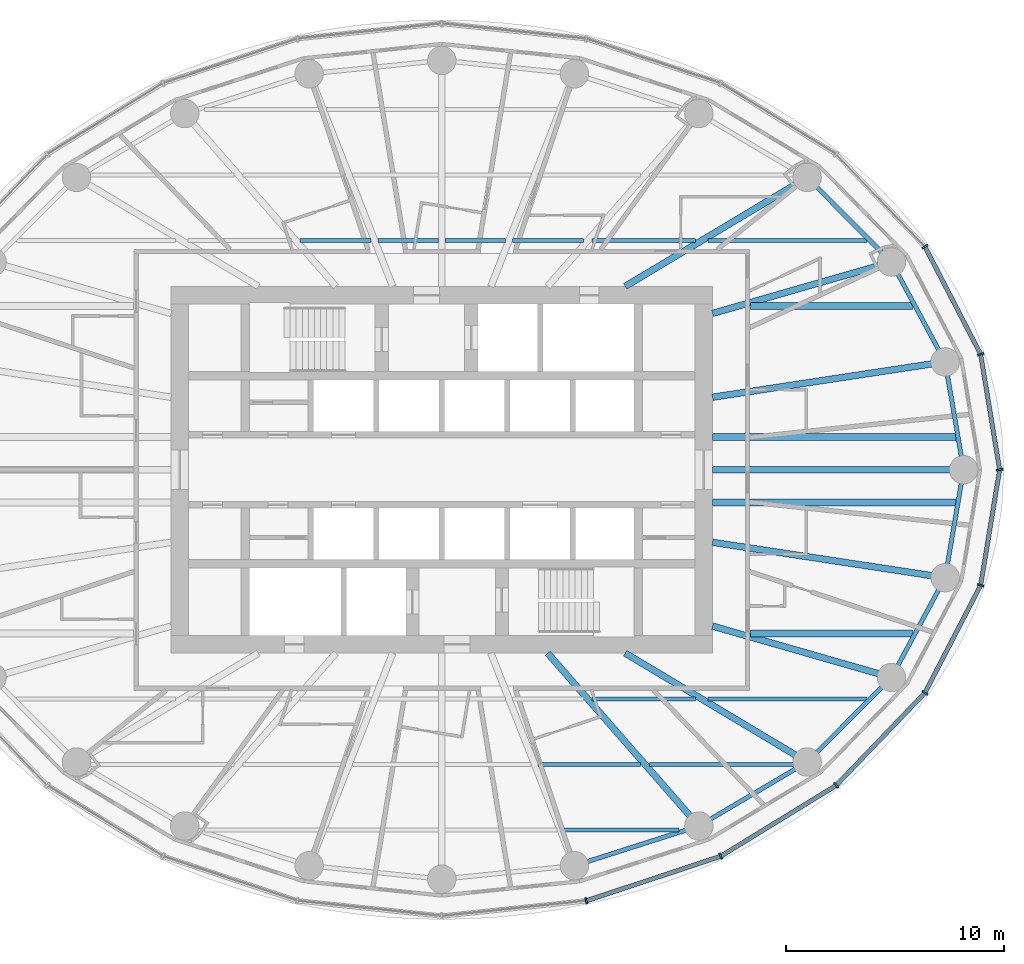
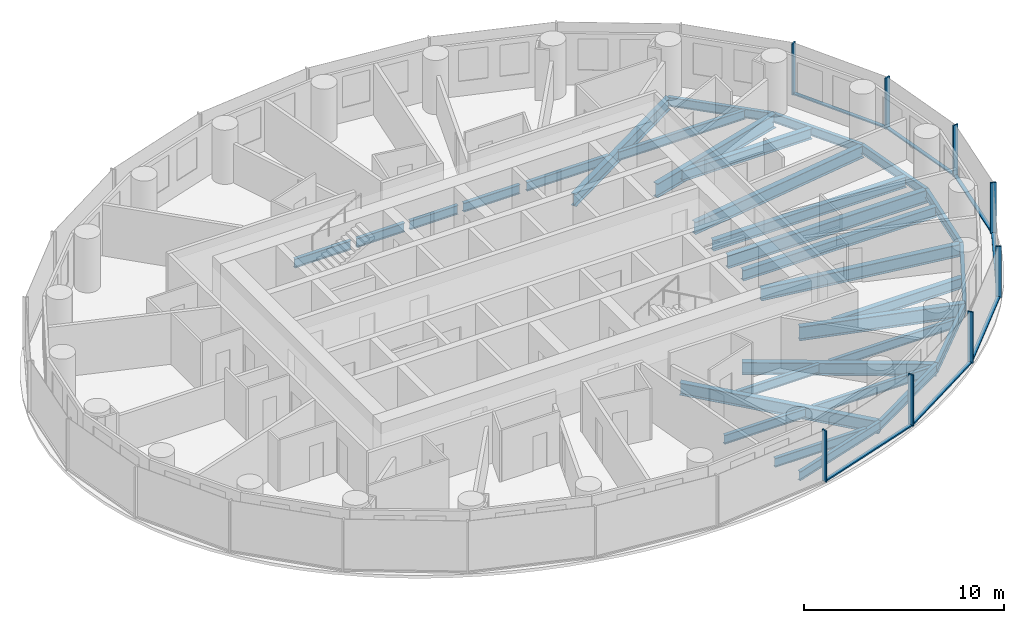
# One storey, part 3 of 13: 31 beams, 15 members, 2 elements without a shape of their own.
"""IFC4 building model written with IfcOpenShell, lengths in metres."""

import ifcopenshell
import ifcopenshell.guid

model = None  # the IFC model being written
_history = None  # IfcOwnerHistory: only IFC2X3 demands one
_inside = {}  # id of a spatial element -> (the spatial element, [elements in it])
_under = {}  # id of a project, library or spatial element -> (it, [spatial elements below it])
_declared = {}  # id of a project -> (the project, [libraries it declares])
_typed = {}  # id of a type object -> (the type object, [elements of that type])
_made_of = {}  # id of a material, layer set ... -> (it, [elements and type objects made of it])


def new_model(schema):
    """Start an empty IFC model of exactly this schema.

    Asked for "IFC4X3", IfcOpenShell would pick the latest addendum, in which some entities
    have other attributes; the version numbers below select the first issue.
    IFC2X3 requires an IfcOwnerHistory on every rooted entity: one is made here for all.
    """
    global model, _history
    if schema == "IFC4X3":
        model = ifcopenshell.file(schema_version=(4, 3, 0, 0))
    else:
        model = ifcopenshell.file(schema=schema)
    _inside.clear()
    _under.clear()
    _declared.clear()
    _typed.clear()
    _made_of.clear()
    _history = None
    if model.schema == "IFC2X3":
        org = make("IfcOrganization", Name="unknown")
        user = make(
            "IfcPersonAndOrganization",
            ThePerson=make("IfcPerson", FamilyName="unknown"),
            TheOrganization=org,
        )
        app = make(
            "IfcApplication",
            ApplicationDeveloper=org,
            Version="unknown",
            ApplicationFullName="unknown",
            ApplicationIdentifier="unknown",
        )
        _history = make(
            "IfcOwnerHistory",
            OwningUser=user,
            OwningApplication=app,
            ChangeAction="ADDED",
            CreationDate=0,
        )
    return model


def make(cls, **values):
    """One entity of the class cls with the attributes given. An attribute that is None is left unset."""
    return model.create_entity(
        cls, **{name: value for name, value in values.items() if value is not None}
    )


def rooted(cls, **values):
    """An entity with a GlobalId (a new one), such as an element, a storey or a relation."""
    return make(cls, GlobalId=ifcopenshell.guid.new(), OwnerHistory=_history, **values)


def si_unit(unit_type, name, prefix=None):
    """IfcSIUnit, for example si_unit("LENGTHUNIT", "METRE", prefix="MILLI")."""
    return make("IfcSIUnit", UnitType=unit_type, Prefix=prefix, Name=name)


def assignment(units):
    """IfcUnitAssignment: the units of a project."""
    return None if units is None else make("IfcUnitAssignment", Units=units)


def point(xyz):
    """IfcCartesianPoint."""
    return None if xyz is None else make("IfcCartesianPoint", Coordinates=xyz)


def direction(xyz):
    """IfcDirection."""
    return None if xyz is None else make("IfcDirection", DirectionRatios=xyz)


def frame(location, z_axis=None, x_axis=None):
    """IfcAxis2Placement3D, a coordinate frame: its origin and axes. An axis left out is left unset."""
    return make(
        "IfcAxis2Placement3D",
        Location=point(location),
        Axis=direction(z_axis),
        RefDirection=direction(x_axis),
    )


def frame_2d(location, x_axis=None):
    """IfcAxis2Placement2D, a coordinate frame in the plane: its origin and x axis."""
    return make(
        "IfcAxis2Placement2D", Location=point(location), RefDirection=direction(x_axis)
    )


def origin():
    """The frame at (0, 0, 0) with its axes left unset."""
    return frame((0.0, 0.0, 0.0))


def origin_2d():
    """The frame at (0, 0) in the plane with its x axis left unset."""
    return frame_2d((0.0, 0.0))


def place(relative_to, where):
    """IfcLocalPlacement: puts the frame where relative to a parent placement (None: the world)."""
    return make(
        "IfcLocalPlacement", PlacementRelTo=relative_to, RelativePlacement=where
    )


def context(
    kind, dimensions, precision=None, world=None, true_north=None, identifier=None
):
    """IfcGeometricRepresentationContext, for example the 3D "Model" context."""
    return make(
        "IfcGeometricRepresentationContext",
        ContextIdentifier=identifier,
        ContextType=kind,
        CoordinateSpaceDimension=dimensions,
        Precision=precision,
        WorldCoordinateSystem=world,
        TrueNorth=true_north,
    )


def subcontext(parent, identifier, kind, view, scale=None):
    """IfcGeometricRepresentationSubContext, for example "Body" below "Model"."""
    return make(
        "IfcGeometricRepresentationSubContext",
        ContextIdentifier=identifier,
        ContextType=kind,
        ParentContext=parent,
        TargetScale=scale,
        TargetView=view,
    )


def project(units=None, contexts=None):
    """IfcProject with its units and contexts."""
    return rooted(
        "IfcProject",
        Name="project",
        RepresentationContexts=contexts,
        UnitsInContext=assignment(units),
    )


def spatial(cls, under=None, at=None, **own):
    """A site, building, storey or space (cls), placed at a placement, below another one or the project."""
    s = rooted(cls, ObjectPlacement=at, **own)
    if under is not None:
        _under.setdefault(under.id(), (under, []))[1].append(s)
    return s


def profile(cls, at=None, kind="AREA", **sizes):
    """A parametric profile (cls). Its sizes go by their IFC names, for example OverallWidth=200.0."""
    return make(cls, ProfileType=kind, Position=at, **sizes)


def rectangle(**sizes):
    """IfcRectangleProfileDef."""
    return profile("IfcRectangleProfileDef", **sizes)


def i_section(**sizes):
    """IfcIShapeProfileDef."""
    return profile("IfcIShapeProfileDef", **sizes)


def extrude(swept, where, along, depth):
    """IfcExtrudedAreaSolid: the profile swept, set in the frame where, extruded along a direction by depth."""
    return make(
        "IfcExtrudedAreaSolid",
        SweptArea=swept,
        Position=where,
        ExtrudedDirection=direction(along),
        Depth=depth,
    )


def shape(context_of_items, identifier, shape_type, items):
    """IfcShapeRepresentation: the items that make up one representation, for example the "Body"."""
    return make(
        "IfcShapeRepresentation",
        ContextOfItems=context_of_items,
        RepresentationIdentifier=identifier,
        RepresentationType=shape_type,
        Items=items,
    )


def material(Name=None, Category=None):
    """IfcMaterial."""
    return make("IfcMaterial", Name=Name, Category=Category)


def material_profile(
    of_material, cross_section, Name=None, Category=None, Priority=None
):
    """IfcMaterialProfile: a cross section and its material."""
    return make(
        "IfcMaterialProfile",
        Name=Name,
        Material=of_material,
        Profile=cross_section,
        Priority=Priority,
        Category=Category,
    )


def profile_set(profiles, Name=None, composite=None):
    """IfcMaterialProfileSet."""
    return make(
        "IfcMaterialProfileSet",
        Name=Name,
        MaterialProfiles=profiles,
        CompositeProfile=composite,
    )


def made_of(thing, what):
    """Note that an element or type object is made of a material, layer set ...; save() writes the relation."""
    if what is not None:
        _made_of.setdefault(what.id(), (what, []))[1].append(thing)
    return thing


def type_object(cls, material=None, **own):
    """A type object (cls), such as IfcWallType, which elements share."""
    return made_of(rooted(cls, **own), material)


def element(
    cls,
    number,
    at=None,
    inside=None,
    cuts=None,
    type_object=None,
    material=None,
    context=None,
    identifier="Body",
    shape_type=None,
    held_by="IfcProductDefinitionShape",
    body=None,
    shapes=None,
    **own,
):
    """One element of the class cls, such as IfcWall. Its Tag is "e" and its number.

    at: its placement. inside: the storey or other place that contains it. cuts: it is an
    opening in that element (IfcRelVoidsElement). A single representation is given by context,
    identifier, shape_type and body (its items); several are given by shapes. held_by: the class
    of the entity that holds the representations. save() writes the other relations.
    """
    e = rooted(cls, Tag="e%d" % number, ObjectPlacement=at, **own)
    if body is not None:
        shapes = [shape(context, identifier, shape_type, body)]
    if shapes is not None:
        e.Representation = make(held_by, Representations=shapes)
    if inside is not None:
        _inside.setdefault(inside.id(), (inside, []))[1].append(e)
    if cuts is not None:
        rooted(
            "IfcRelVoidsElement", RelatingBuildingElement=cuts, RelatedOpeningElement=e
        )
    if type_object is not None:
        _typed.setdefault(type_object.id(), (type_object, []))[1].append(e)
    return made_of(e, material)


def aggregate(whole, parts):
    """IfcRelAggregates: a whole, such as a stair, and the parts it consists of."""
    return rooted("IfcRelAggregates", RelatingObject=whole, RelatedObjects=parts)


def save(model, path):
    """Write the relations noted so far, then the file.

    IfcRelAggregates (storeys below a building ...), IfcRelContainedInSpatialStructure (elements
    in a storey), IfcRelDefinesByType, IfcRelAssociatesMaterial and IfcRelDeclares: one each for
    every whole, place, type object, material and project.
    """
    for whole, parts in _under.values():
        aggregate(whole, parts)
    for where, things in _inside.values():
        rooted(
            "IfcRelContainedInSpatialStructure",
            RelatedElements=things,
            RelatingStructure=where,
        )
    for kind, things in _typed.values():
        rooted("IfcRelDefinesByType", RelatedObjects=things, RelatingType=kind)
    for what, things in _made_of.values():
        rooted("IfcRelAssociatesMaterial", RelatedObjects=things, RelatingMaterial=what)
    for by, libraries in _declared.values():
        rooted("IfcRelDeclares", RelatingContext=by, RelatedDefinitions=libraries)
    model.write(path)


model = new_model("IFC4")

# Units and contexts
model_context = context("Model", 3, precision=1e-05, world=origin(), true_north=direction((0.0, 1.0)))
body_context = subcontext(model_context, "Body", "Model", "MODEL_VIEW")
ifc_project = project(units=[si_unit("LENGTHUNIT", "METRE"), si_unit("AREAUNIT", "SQUARE_METRE"), si_unit("VOLUMEUNIT", "CUBIC_METRE"), si_unit("PLANEANGLEUNIT", "RADIAN"), si_unit("MASSUNIT", "GRAM", prefix="KILO")], contexts=[model_context])

# Site, building, storey
site_placement = place(None, origin())
site = spatial("IfcSite", under=ifc_project, at=site_placement, CompositionType="ELEMENT")
building_placement = place(site_placement, origin())
building = spatial("IfcBuilding", under=site, at=building_placement, Name="Hankou Lantern Tower", CompositionType="ELEMENT")
storey_placement = place(building_placement, frame((0.0, 0.0, 122.10009765625)))
storey = spatial("IfcBuildingStorey", under=building, at=storey_placement, Name="L31", CompositionType="ELEMENT", Elevation=122.10009765625)

# Beams
ifc_material_1 = material(Name="Steel Q355B", Category="steel")
ifc_material_profile_1 = material_profile(ifc_material_1, i_section(OverallWidth=0.199951171875, OverallDepth=0.550048828125, WebThickness=0.010009765625, FlangeThickness=0.01611328125, FilletRadius=0.012939453125, at=origin_2d()), Name="HN550x200x10x16")
ifc_profile_set_1 = profile_set([ifc_material_profile_1], Name="Steel Q355B")
beam_type_1 = type_object("IfcBeamType", Name="EB6 RING BEAM HN550x200x10x16", PredefinedType="SPANDREL", material=ifc_profile_set_1)
beam_1_placement = place(storey_placement, frame((23.89990234375, 0.0, -0.455078125), z_axis=(-0.168527258545, 0.985696993567, 0.0), x_axis=(-0.985696993567, -0.168527258545, 0.0)))
element("IfcBeam", 1, at=beam_1_placement, inside=storey, type_object=beam_type_1, Name="Ring beam R01-R02 L31", PredefinedType="SPANDREL", context=body_context, shape_type="SweptSolid", body=[
    extrude(i_section(OverallWidth=0.199951171875, OverallDepth=0.550048828125, WebThickness=0.010009765625, FlangeThickness=0.01611328125, FilletRadius=0.012939453125, at=origin_2d()), origin(), (0.0, 0.0, 1.0), 5.013916015625),
])
beam_2_placement = place(storey_placement, frame((23.054931640625, 4.942138671875, -0.455078125), z_axis=(-0.473824901673, 0.880619079145, 0.0), x_axis=(-0.880619079145, -0.473824901673, 0.0)))
element("IfcBeam", 2, at=beam_2_placement, inside=storey, type_object=beam_type_1, Name="Ring beam R02-R03 L31", PredefinedType="SPANDREL", context=body_context, shape_type="SweptSolid", body=[
    extrude(i_section(OverallWidth=0.199951171875, OverallDepth=0.550048828125, WebThickness=0.010009765625, FlangeThickness=0.01611328125, FilletRadius=0.012939453125, at=origin_2d()), origin(), (0.0, 0.0, 1.0), 5.190185546875),
])
beam_3_placement = place(storey_placement, frame((20.595703125, 9.5126953125, -0.455078125), z_axis=(-0.705945468625, 0.708266189599, 0.0), x_axis=(-0.708266189599, -0.705945468625, 0.0)))
element("IfcBeam", 3, at=beam_3_placement, inside=storey, type_object=beam_type_1, Name="Ring beam R03-R04 L31", PredefinedType="SPANDREL", context=body_context, shape_type="SweptSolid", body=[
    extrude(i_section(OverallWidth=0.199951171875, OverallDepth=0.550048828125, WebThickness=0.010009765625, FlangeThickness=0.01611328125, FilletRadius=0.012939453125, at=origin_2d()), origin(), (0.0, 0.0, 1.0), 5.470458984375),
])
beam_4_placement = place(storey_placement, frame((6.073974609375, -18.134521484375, -0.455078125), z_axis=(0.952731090451, 0.303814860215, 0.0), x_axis=(-0.303814860215, 0.952731090451, 0.0)))
element("IfcBeam", 4, at=beam_4_placement, inside=storey, type_object=beam_type_1, Name="Ring beam R20-R21 L31", PredefinedType="SPANDREL", context=body_context, shape_type="SweptSolid", body=[
    extrude(i_section(OverallWidth=0.199951171875, OverallDepth=0.550048828125, WebThickness=0.010009765625, FlangeThickness=0.01611328125, FilletRadius=0.012939453125, at=origin_2d()), origin(), (0.0, 0.0, 1.0), 5.984375),
])
beam_5_placement = place(storey_placement, frame((11.775390625, -16.31640625, -0.455078125), z_axis=(0.860988974188, 0.508623619513, 0.0), x_axis=(-0.508623619513, 0.860988974188, 0.0)))
element("IfcBeam", 5, at=beam_5_placement, inside=storey, type_object=beam_type_1, Name="Ring beam R21-R22 L31", PredefinedType="SPANDREL", context=body_context, shape_type="SweptSolid", body=[
    extrude(i_section(OverallWidth=0.199951171875, OverallDepth=0.550048828125, WebThickness=0.010009765625, FlangeThickness=0.01611328125, FilletRadius=0.012939453125, at=origin_2d()), origin(), (0.0, 0.0, 1.0), 5.759033203125),
])
beam_6_placement = place(storey_placement, frame((16.73388671875, -13.38720703125, -0.455078125), z_axis=(0.705945468625, 0.708266189599, 0.0), x_axis=(-0.708266189599, 0.705945468625, 0.0)))
element("IfcBeam", 6, at=beam_6_placement, inside=storey, type_object=beam_type_1, Name="Ring beam R22-R23 L31", PredefinedType="SPANDREL", context=body_context, shape_type="SweptSolid", body=[
    extrude(i_section(OverallWidth=0.199951171875, OverallDepth=0.550048828125, WebThickness=0.010009765625, FlangeThickness=0.01611328125, FilletRadius=0.012939453125, at=origin_2d()), origin(), (0.0, 0.0, 1.0), 5.470458984375),
])
beam_7_placement = place(storey_placement, frame((20.595703125, -9.5126953125, -0.455078125), z_axis=(0.473824901673, 0.880619079145, 0.0), x_axis=(-0.880619079145, 0.473824901673, 0.0)))
element("IfcBeam", 7, at=beam_7_placement, inside=storey, type_object=beam_type_1, Name="Ring beam R23-R24 L31", PredefinedType="SPANDREL", context=body_context, shape_type="SweptSolid", body=[
    extrude(i_section(OverallWidth=0.199951171875, OverallDepth=0.550048828125, WebThickness=0.010009765625, FlangeThickness=0.01611328125, FilletRadius=0.012939453125, at=origin_2d()), origin(), (0.0, 0.0, 1.0), 5.190185546875),
])
beam_8_placement = place(storey_placement, frame((23.054931640625, -4.942138671875, -0.455078125), z_axis=(0.168527258545, 0.985696993567, 0.0), x_axis=(-0.985696993567, 0.168527258545, 0.0)))
element("IfcBeam", 8, at=beam_8_placement, inside=storey, type_object=beam_type_1, Name="Ring beam R24-R01 L31", PredefinedType="SPANDREL", context=body_context, shape_type="SweptSolid", body=[
    extrude(i_section(OverallWidth=0.199951171875, OverallDepth=0.550048828125, WebThickness=0.010009765625, FlangeThickness=0.01611328125, FilletRadius=0.012939453125, at=origin_2d()), origin(), (0.0, 0.0, 1.0), 5.013916015625),
])

# Curtain wall, members
ifc_material_2 = material(Name="Glass, dark grey tinted laminated", Category="glass")
curtain_wall_type = type_object("IfcCurtainWallType", Name="CWB OUTER SKIN MID-RISE", PredefinedType="USERDEFINED", material=ifc_material_2)
curtain_wall_1_placement = place(storey_placement, origin())
curtain_wall_1 = element("IfcCurtainWall", 9, at=curtain_wall_1_placement, inside=storey, type_object=curtain_wall_type, Name="CWB L31 OS1", ObjectType="OUTER SKIN MID-RISE", PredefinedType="USERDEFINED")
ifc_material_3 = material(Name="Aluminium, black anodised", Category="aluminium")
ifc_material_profile_2 = material_profile(ifc_material_3, rectangle(XDim=0.080078125, YDim=0.300048828125, at=origin_2d()), Name="MU1 80X300")
ifc_profile_set_2 = profile_set([ifc_material_profile_2], Name="Aluminium, black anodised")
member_type_1 = type_object("IfcMemberType", Name="MU1 OUTER SKIN MULLION 80X300", PredefinedType="MULLION", material=ifc_profile_set_2)
member_1_placement = place(storey_placement, frame((25.550048828125, 0.0, 0.0), z_axis=(0.0, 0.0, 1.0), x_axis=(-0.162381515188, 0.986728049427, 0.0)))
member_1 = element("IfcMember", 10, at=member_1_placement, type_object=member_type_1, Name="CWB mullion 1", PredefinedType="MULLION", context=body_context, shape_type="SweptSolid", body=[
    extrude(rectangle(XDim=0.080078125, YDim=0.300048828125, at=origin_2d()), origin(), (0.0, 0.0, 1.0), 3.119873046875),
])
member_2_placement = place(storey_placement, frame((24.679443359375, 5.290283203125, 0.0), z_axis=(0.0, 0.0, 1.0), x_axis=(-0.317595577365, 0.94822626479, 0.0)))
member_2 = element("IfcMember", 11, at=member_2_placement, type_object=member_type_1, Name="CWB mullion 2", PredefinedType="MULLION", context=body_context, shape_type="SweptSolid", body=[
    extrude(rectangle(XDim=0.080078125, YDim=0.300048828125, at=origin_2d()), origin(), (0.0, 0.0, 1.0), 3.119873046875),
])
member_3_placement = place(storey_placement, frame((22.126953125, 10.219970703125, 0.0), z_axis=(0.0, 0.0, 1.0), x_axis=(-0.585205735974, 0.810884854084, 0.0)))
member_3 = element("IfcMember", 12, at=member_3_placement, type_object=member_type_1, Name="CWB mullion 3", PredefinedType="MULLION", context=body_context, shape_type="SweptSolid", body=[
    extrude(rectangle(XDim=0.080078125, YDim=0.300048828125, at=origin_2d()), origin(), (0.0, 0.0, 1.0), 3.119873046875),
])

curtain_wall_2_placement = place(storey_placement, origin())
curtain_wall_2 = element("IfcCurtainWall", 13, at=curtain_wall_2_placement, inside=storey, type_object=curtain_wall_type, Name="CWB L31 OS4", ObjectType="OUTER SKIN MID-RISE", PredefinedType="USERDEFINED")
member_4_placement = place(storey_placement, frame((6.61279296875, -19.743408203125, 0.0), z_axis=(0.0, 0.0, 1.0), x_axis=(0.977787659625, 0.209597931016, 0.0)))
member_4 = element("IfcMember", 14, at=member_4_placement, type_object=member_type_1, Name="CWB mullion 2", PredefinedType="MULLION", context=body_context, shape_type="SweptSolid", body=[
    extrude(rectangle(XDim=0.080078125, YDim=0.300048828125, at=origin_2d()), origin(), (0.0, 0.0, 1.0), 3.119873046875),
])
member_5_placement = place(storey_placement, frame((12.77490234375, -17.70166015625, 0.0), z_axis=(0.0, 0.0, 1.0), x_axis=(0.907841299004, 0.419313934686, 0.0)))
member_5 = element("IfcMember", 15, at=member_5_placement, type_object=member_type_1, Name="CWB mullion 3", PredefinedType="MULLION", context=body_context, shape_type="SweptSolid", body=[
    extrude(rectangle(XDim=0.080078125, YDim=0.300048828125, at=origin_2d()), origin(), (0.0, 0.0, 1.0), 3.119873046875),
])
member_6_placement = place(storey_placement, frame((18.066650390625, -14.453369140625, 0.0), z_axis=(0.0, 0.0, 1.0), x_axis=(0.780868809444, 0.624695047553, 0.0)))
member_6 = element("IfcMember", 16, at=member_6_placement, type_object=member_type_1, Name="CWB mullion 4", PredefinedType="MULLION", context=body_context, shape_type="SweptSolid", body=[
    extrude(rectangle(XDim=0.080078125, YDim=0.300048828125, at=origin_2d()), origin(), (0.0, 0.0, 1.0), 3.119873046875),
])
member_7_placement = place(storey_placement, frame((22.126953125, -10.219970703125, 0.0), z_axis=(0.0, 0.0, 1.0), x_axis=(0.585205735974, 0.810884854084, 0.0)))
member_7 = element("IfcMember", 17, at=member_7_placement, type_object=member_type_1, Name="CWB mullion 5", PredefinedType="MULLION", context=body_context, shape_type="SweptSolid", body=[
    extrude(rectangle(XDim=0.080078125, YDim=0.300048828125, at=origin_2d()), origin(), (0.0, 0.0, 1.0), 3.119873046875),
])
member_8_placement = place(storey_placement, frame((24.679443359375, -5.290283203125, 0.0), z_axis=(0.0, 0.0, 1.0), x_axis=(0.317595577365, 0.94822626479, 0.0)))
member_8 = element("IfcMember", 18, at=member_8_placement, type_object=member_type_1, Name="CWB mullion 6", PredefinedType="MULLION", context=body_context, shape_type="SweptSolid", body=[
    extrude(rectangle(XDim=0.080078125, YDim=0.300048828125, at=origin_2d()), origin(), (0.0, 0.0, 1.0), 3.119873046875),
])

# Beams
ifc_material_4 = material(Name="Steel Q355B", Category="steel")
ifc_material_profile_3 = material_profile(ifc_material_4, i_section(OverallWidth=0.300048828125, OverallDepth=0.75, WebThickness=0.012939453125, FlangeThickness=0.02392578125, FilletRadius=0.01806640625, at=origin_2d()), Name="HN750x300x13x24")
ifc_profile_set_3 = profile_set([ifc_material_profile_3], Name="Steel Q355B")
beam_type_2 = type_object("IfcBeamType", Name="RB10 RADIAL BEAM HN750x300x13x24", PredefinedType="BEAM", material=ifc_profile_set_3)
beam_9_placement = place(storey_placement, frame((12.39990234375, 3.322509765625, -0.55517578125), z_axis=(0.988643506875, 0.150279793429, 0.0), x_axis=(-0.150279793429, 0.988643506875, 0.0)))
element("IfcBeam", 19, at=beam_9_placement, inside=storey, type_object=beam_type_2, Name="Radial beam R02 L31", PredefinedType="BEAM", context=body_context, shape_type="SweptSolid", body=[
    extrude(i_section(OverallWidth=0.300048828125, OverallDepth=0.75, WebThickness=0.012939453125, FlangeThickness=0.02392578125, FilletRadius=0.01806640625, at=origin_2d()), origin(), (0.0, 0.0, 1.0), 10.77734375),
])
beam_10_placement = place(storey_placement, frame((8.39990234375, 8.39990234375, -0.55517578125), z_axis=(0.858086776551, 0.513504706802, 0.0), x_axis=(-0.513504706802, 0.858086776551, 0.0)))
element("IfcBeam", 20, at=beam_10_placement, inside=storey, type_object=beam_type_2, Name="Radial beam R04 L31", PredefinedType="BEAM", context=body_context, shape_type="SweptSolid", body=[
    extrude(i_section(OverallWidth=0.300048828125, OverallDepth=0.75, WebThickness=0.012939453125, FlangeThickness=0.02392578125, FilletRadius=0.01806640625, at=origin_2d()), origin(), (0.0, 0.0, 1.0), 9.71240234375),
])
beam_11_placement = place(storey_placement, frame((4.849853515625, -8.39990234375, -0.55517578125), z_axis=(0.658429014446, -0.752642832249, 0.0), x_axis=(0.752642832249, 0.658429014446, 0.0)))
element("IfcBeam", 21, at=beam_11_placement, inside=storey, type_object=beam_type_2, Name="Radial beam R21 L31", PredefinedType="BEAM", context=body_context, shape_type="SweptSolid", body=[
    extrude(i_section(OverallWidth=0.300048828125, OverallDepth=0.75, WebThickness=0.012939453125, FlangeThickness=0.02392578125, FilletRadius=0.01806640625, at=origin_2d()), origin(), (0.0, 0.0, 1.0), 10.518310546875),
])
beam_12_placement = place(storey_placement, frame((8.39990234375, -8.39990234375, -0.55517578125), z_axis=(0.858086776551, -0.513504706802, 0.0), x_axis=(0.513504706802, 0.858086776551, 0.0)))
element("IfcBeam", 22, at=beam_12_placement, inside=storey, type_object=beam_type_2, Name="Radial beam R22 L31", PredefinedType="BEAM", context=body_context, shape_type="SweptSolid", body=[
    extrude(i_section(OverallWidth=0.300048828125, OverallDepth=0.75, WebThickness=0.012939453125, FlangeThickness=0.02392578125, FilletRadius=0.01806640625, at=origin_2d()), origin(), (0.0, 0.0, 1.0), 9.71240234375),
])
beam_13_placement = place(storey_placement, frame((12.39990234375, -3.322509765625, -0.55517578125), z_axis=(0.988643506875, -0.150279793429, 0.0), x_axis=(0.150279793429, 0.988643506875, 0.0)))
element("IfcBeam", 23, at=beam_13_placement, inside=storey, type_object=beam_type_2, Name="Radial beam R24 L31", PredefinedType="BEAM", context=body_context, shape_type="SweptSolid", body=[
    extrude(i_section(OverallWidth=0.300048828125, OverallDepth=0.75, WebThickness=0.012939453125, FlangeThickness=0.02392578125, FilletRadius=0.01806640625, at=origin_2d()), origin(), (0.0, 0.0, 1.0), 10.77734375),
])
ifc_material_5 = material(Name="Steel Q355B", Category="steel")
ifc_material_profile_4 = material_profile(ifc_material_5, i_section(OverallWidth=0.300048828125, OverallDepth=0.800048828125, WebThickness=0.013916015625, FlangeThickness=0.02587890625, FilletRadius=0.01806640625, at=origin_2d()), Name="HN800x300x14x26")
ifc_profile_set_4 = profile_set([ifc_material_profile_4], Name="Steel Q355B")
beam_type_3 = type_object("IfcBeamType", Name="RB11 RADIAL BEAM HN800x300x14x26", PredefinedType="BEAM", material=ifc_profile_set_4)
beam_14_placement = place(storey_placement, frame((12.39990234375, 0.0, -0.580078125), z_axis=(1.0, 0.0, 0.0), x_axis=(0.0, 1.0, 0.0)))
element("IfcBeam", 24, at=beam_14_placement, inside=storey, type_object=beam_type_3, Name="Radial beam R01 L31", PredefinedType="BEAM", context=body_context, shape_type="SweptSolid", body=[
    extrude(i_section(OverallWidth=0.300048828125, OverallDepth=0.800048828125, WebThickness=0.013916015625, FlangeThickness=0.02587890625, FilletRadius=0.01806640625, at=origin_2d()), origin(), (0.0, 0.0, 1.0), 11.5),
])
ifc_material_6 = material(Name="Steel Q355B", Category="steel")
ifc_material_profile_5 = material_profile(ifc_material_6, i_section(OverallWidth=0.300048828125, OverallDepth=0.85009765625, WebThickness=0.01611328125, FlangeThickness=0.027099609375, FilletRadius=0.01806640625, at=origin_2d()), Name="HN850x300x16x27")
ifc_profile_set_5 = profile_set([ifc_material_profile_5], Name="Steel Q355B")
beam_type_4 = type_object("IfcBeamType", Name="RB12 RADIAL BEAM HN850x300x16x27", PredefinedType="BEAM", material=ifc_profile_set_5)
for number, where, z_axis, x_axis, name in (
    (25, (12.39990234375, 7.1591796875, -0.60498046875), (0.961155741911, 0.276006593745, 0.0), (-0.276006593745, 0.961155741911, 0.0), "Radial beam R03 L31"),
    (26, (12.39990234375, -7.1591796875, -0.60498046875), (0.961155741911, -0.276006593745, 0.0), (0.276006593745, 0.961155741911, 0.0), "Radial beam R23 L31"),
):
    element("IfcBeam", number, at=place(storey_placement, frame(where, z_axis=z_axis, x_axis=x_axis)), inside=storey, type_object=beam_type_4, Name=name, PredefinedType="BEAM", context=body_context, shape_type="SweptSolid", body=[
        extrude(i_section(OverallWidth=0.300048828125, OverallDepth=0.85009765625, WebThickness=0.01611328125, FlangeThickness=0.027099609375, FilletRadius=0.01806640625, at=origin_2d()), origin(), (0.0, 0.0, 1.0), 8.527099609375),
    ])
ifc_material_7 = material(Name="Steel Q355B", Category="steel")
ifc_material_profile_6 = material_profile(ifc_material_7, i_section(OverallWidth=0.199951171875, OverallDepth=0.550048828125, WebThickness=0.010009765625, FlangeThickness=0.01611328125, FilletRadius=0.012939453125, at=origin_2d()), Name="HN550x200x10x16")
ifc_profile_set_6 = profile_set([ifc_material_profile_6], Name="Steel Q355B")
beam_type_5 = type_object("IfcBeamType", Name="SB6 SECONDARY BEAM HN550x200x10x16", PredefinedType="JOIST", material=ifc_profile_set_6)
beam_15_placement = place(storey_placement, frame((5.59326171875, -16.5, -0.455078125), z_axis=(1.0, 0.0, 0.0), x_axis=(0.0, 1.0, 0.0)))
element("IfcBeam", 27, at=beam_15_placement, inside=storey, type_object=beam_type_5, Name="Floor joist J004 L31", PredefinedType="JOIST", context=body_context, shape_type="SweptSolid", body=[
    extrude(i_section(OverallWidth=0.199951171875, OverallDepth=0.550048828125, WebThickness=0.010009765625, FlangeThickness=0.01611328125, FilletRadius=0.012939453125, at=origin_2d()), origin(), (0.0, 0.0, 1.0), 5.27685546875),
])
beam_16_placement = place(storey_placement, frame((4.4150390625, -13.5, -0.455078125), z_axis=(1.0, 0.0, 0.0), x_axis=(0.0, 1.0, 0.0)))
element("IfcBeam", 28, at=beam_16_placement, inside=storey, type_object=beam_type_5, Name="Floor joist J009 L31", PredefinedType="JOIST", context=body_context, shape_type="SweptSolid", body=[
    extrude(i_section(OverallWidth=0.199951171875, OverallDepth=0.550048828125, WebThickness=0.010009765625, FlangeThickness=0.01611328125, FilletRadius=0.012939453125, at=origin_2d()), origin(), (0.0, 0.0, 1.0), 4.697021484375),
])
beam_17_placement = place(storey_placement, frame((9.5107421875, -13.5, -0.455078125), z_axis=(1.0, 0.0, 0.0), x_axis=(0.0, 1.0, 0.0)))
element("IfcBeam", 29, at=beam_17_placement, inside=storey, type_object=beam_type_5, Name="Floor joist J010 L31", PredefinedType="JOIST", context=body_context, shape_type="SweptSolid", body=[
    extrude(i_section(OverallWidth=0.199951171875, OverallDepth=0.550048828125, WebThickness=0.010009765625, FlangeThickness=0.01611328125, FilletRadius=0.012939453125, at=origin_2d()), origin(), (0.0, 0.0, 1.0), 6.83544921875),
])
beam_18_placement = place(storey_placement, frame((6.88623046875, -10.5, -0.455078125), z_axis=(1.0, 0.0, 0.0), x_axis=(0.0, 1.0, 0.0)))
element("IfcBeam", 30, at=beam_18_placement, inside=storey, type_object=beam_type_5, Name="Floor joist J017 L31", PredefinedType="JOIST", context=body_context, shape_type="SweptSolid", body=[
    extrude(i_section(OverallWidth=0.199951171875, OverallDepth=0.550048828125, WebThickness=0.010009765625, FlangeThickness=0.01611328125, FilletRadius=0.012939453125, at=origin_2d()), origin(), (0.0, 0.0, 1.0), 4.73095703125),
])
beam_19_placement = place(storey_placement, frame((12.201416015625, -10.5, -0.455078125), z_axis=(1.0, 0.0, 0.0), x_axis=(0.0, 1.0, 0.0)))
element("IfcBeam", 31, at=beam_19_placement, inside=storey, type_object=beam_type_5, Name="Floor joist J018 L31", PredefinedType="JOIST", context=body_context, shape_type="SweptSolid", body=[
    extrude(i_section(OverallWidth=0.199951171875, OverallDepth=0.550048828125, WebThickness=0.010009765625, FlangeThickness=0.01611328125, FilletRadius=0.012939453125, at=origin_2d()), origin(), (0.0, 0.0, 1.0), 7.26904296875),
])
beam_20_placement = place(storey_placement, frame((-6.487548828125, 10.5, -0.455078125), z_axis=(1.0, 0.0, 0.0), x_axis=(0.0, 1.0, 0.0)))
element("IfcBeam", 32, at=beam_20_placement, inside=storey, type_object=beam_type_5, Name="Floor joist J037 L31", PredefinedType="JOIST", context=body_context, shape_type="SweptSolid", body=[
    extrude(i_section(OverallWidth=0.199951171875, OverallDepth=0.550048828125, WebThickness=0.010009765625, FlangeThickness=0.01611328125, FilletRadius=0.012939453125, at=origin_2d()), origin(), (0.0, 0.0, 1.0), 3.2509765625),
])
for number, where, z_axis, x_axis, name in (
    (33, (-2.914306640625, 10.5, -0.455078125), (1.0, 0.0, 0.0), (0.0, 1.0, 0.0), "Floor joist J038 L31"),
    (34, (0.14990234375, 10.5, -0.455078125), (1.0, 0.0, 0.0), (0.0, 1.0, 0.0), "Floor joist J039 L31"),
):
    element("IfcBeam", number, at=place(storey_placement, frame(where, z_axis=z_axis, x_axis=x_axis)), inside=storey, type_object=beam_type_5, Name=name, PredefinedType="JOIST", context=body_context, shape_type="SweptSolid", body=[
        extrude(i_section(OverallWidth=0.199951171875, OverallDepth=0.550048828125, WebThickness=0.010009765625, FlangeThickness=0.01611328125, FilletRadius=0.012939453125, at=origin_2d()), origin(), (0.0, 0.0, 1.0), 2.764404296875),
    ])
beam_21_placement = place(storey_placement, frame((3.236572265625, 10.5, -0.455078125), z_axis=(1.0, 0.0, 0.0), x_axis=(0.0, 1.0, 0.0)))
element("IfcBeam", 35, at=beam_21_placement, inside=storey, type_object=beam_type_5, Name="Floor joist J040 L31", PredefinedType="JOIST", context=body_context, shape_type="SweptSolid", body=[
    extrude(i_section(OverallWidth=0.199951171875, OverallDepth=0.550048828125, WebThickness=0.010009765625, FlangeThickness=0.01611328125, FilletRadius=0.012939453125, at=origin_2d()), origin(), (0.0, 0.0, 1.0), 3.2509765625),
])
beam_22_placement = place(storey_placement, frame((6.88623046875, 10.5, -0.455078125), z_axis=(1.0, 0.0, 0.0), x_axis=(0.0, 1.0, 0.0)))
element("IfcBeam", 36, at=beam_22_placement, inside=storey, type_object=beam_type_5, Name="Floor joist J041 L31", PredefinedType="JOIST", context=body_context, shape_type="SweptSolid", body=[
    extrude(i_section(OverallWidth=0.199951171875, OverallDepth=0.550048828125, WebThickness=0.010009765625, FlangeThickness=0.01611328125, FilletRadius=0.012939453125, at=origin_2d()), origin(), (0.0, 0.0, 1.0), 4.73095703125),
])
beam_23_placement = place(storey_placement, frame((12.201416015625, 10.5, -0.455078125), z_axis=(1.0, 0.0, 0.0), x_axis=(0.0, 1.0, 0.0)))
element("IfcBeam", 37, at=beam_23_placement, inside=storey, type_object=beam_type_5, Name="Floor joist J042 L31", PredefinedType="JOIST", context=body_context, shape_type="SweptSolid", body=[
    extrude(i_section(OverallWidth=0.199951171875, OverallDepth=0.550048828125, WebThickness=0.010009765625, FlangeThickness=0.01611328125, FilletRadius=0.012939453125, at=origin_2d()), origin(), (0.0, 0.0, 1.0), 7.26904296875),
])
ifc_material_8 = material(Name="Steel Q355B", Category="steel")
ifc_material_profile_7 = material_profile(ifc_material_8, i_section(OverallWidth=0.300048828125, OverallDepth=0.64990234375, WebThickness=0.010986328125, FlangeThickness=0.01708984375, FilletRadius=0.01806640625, at=origin_2d()), Name="HN650x300x11x17")
ifc_profile_set_7 = profile_set([ifc_material_profile_7], Name="Steel Q355B")
beam_type_6 = type_object("IfcBeamType", Name="SB8 SECONDARY BEAM HN650x300x11x17", PredefinedType="JOIST", material=ifc_profile_set_7)
beam_24_placement = place(storey_placement, frame((14.13037109375, -7.5, -0.505126953125), z_axis=(1.0, 0.0, 0.0), x_axis=(0.0, 1.0, 0.0)))
element("IfcBeam", 38, at=beam_24_placement, inside=storey, type_object=beam_type_6, Name="Floor joist J020 L31", PredefinedType="JOIST", context=body_context, shape_type="SweptSolid", body=[
    extrude(i_section(OverallWidth=0.300048828125, OverallDepth=0.64990234375, WebThickness=0.010986328125, FlangeThickness=0.01708984375, FilletRadius=0.01806640625, at=origin_2d()), origin(), (0.0, 0.0, 1.0), 7.4345703125),
])
for number, where, z_axis, x_axis, name in (
    (39, (12.39990234375, -1.5, -0.505126953125), (1.0, 0.0, 0.0), (0.0, 1.0, 0.0), "Floor joist J026 L31"),
    (40, (12.39990234375, 1.5, -0.505126953125), (1.0, 0.0, 0.0), (0.0, 1.0, 0.0), "Floor joist J028 L31"),
):
    element("IfcBeam", number, at=place(storey_placement, frame(where, z_axis=z_axis, x_axis=x_axis)), inside=storey, type_object=beam_type_6, Name=name, PredefinedType="JOIST", context=body_context, shape_type="SweptSolid", body=[
        extrude(i_section(OverallWidth=0.300048828125, OverallDepth=0.64990234375, WebThickness=0.010986328125, FlangeThickness=0.01708984375, FilletRadius=0.01806640625, at=origin_2d()), origin(), (0.0, 0.0, 1.0), 11.14208984375),
    ])
beam_25_placement = place(storey_placement, frame((14.13037109375, 7.5, -0.505126953125), z_axis=(1.0, 0.0, 0.0), x_axis=(0.0, 1.0, 0.0)))
element("IfcBeam", 41, at=beam_25_placement, inside=storey, type_object=beam_type_6, Name="Floor joist J034 L31", PredefinedType="JOIST", context=body_context, shape_type="SweptSolid", body=[
    extrude(i_section(OverallWidth=0.300048828125, OverallDepth=0.64990234375, WebThickness=0.010986328125, FlangeThickness=0.01708984375, FilletRadius=0.01806640625, at=origin_2d()), origin(), (0.0, 0.0, 1.0), 7.4345703125),
])

# Member
ifc_material_9 = material(Name="Aluminium, black anodised", Category="aluminium")
ifc_material_profile_8 = material_profile(ifc_material_9, rectangle(XDim=0.199951171875, YDim=0.080078125, at=origin_2d()), Name="TR1 200X80")
ifc_profile_set_8 = profile_set([ifc_material_profile_8], Name="Aluminium, black anodised")
member_type_2 = type_object("IfcMemberType", Name="TR1 OUTER SKIN TRANSOM 200X80", PredefinedType="USERDEFINED", material=ifc_profile_set_8)
member_9_placement = place(storey_placement, frame((25.54345703125, 0.03955078125, 0.039794921875), z_axis=(-0.162397124076, 0.986725480614, 0.0), x_axis=(-0.986725480614, -0.162397124076, 0.0)))
member_9 = element("IfcMember", 42, at=member_9_placement, type_object=member_type_2, Name="CWB transom 1", ObjectType="TRANSOM", PredefinedType="USERDEFINED", context=body_context, shape_type="SweptSolid", body=[
    extrude(rectangle(XDim=0.199951171875, YDim=0.080078125, at=origin_2d()), origin(), (0.0, 0.0, 1.0), 5.28125),
])

member_10_placement = place(storey_placement, frame((24.6611328125, 5.32568359375, 0.039794921875), z_axis=(-0.459805240543, 0.888019786249, 0.0), x_axis=(-0.888019786249, -0.459805240543, 0.0)))
member_10 = element("IfcMember", 43, at=member_10_placement, type_object=member_type_2, Name="CWB transom 2", ObjectType="TRANSOM", PredefinedType="USERDEFINED", context=body_context, shape_type="SweptSolid", body=[
    extrude(rectangle(XDim=0.199951171875, YDim=0.080078125, at=origin_2d()), origin(), (0.0, 0.0, 1.0), 5.4716796875),
])

aggregate(curtain_wall_1, [member_1, member_2, member_3, member_9, member_10])

member_11_placement = place(storey_placement, frame((6.65087890625, -19.73095703125, 0.039794921875), z_axis=(0.949237765745, 0.314559476225, 0.0), x_axis=(-0.314559476225, 0.949237765745, 0.0)))
member_11 = element("IfcMember", 44, at=member_11_placement, type_object=member_type_2, Name="CWB transom 2", ObjectType="TRANSOM", PredefinedType="USERDEFINED", context=body_context, shape_type="SweptSolid", body=[
    extrude(rectangle(XDim=0.199951171875, YDim=0.080078125, at=origin_2d()), origin(), (0.0, 0.0, 1.0), 6.41162109375),
])

member_12_placement = place(storey_placement, frame((12.80908203125, -17.6806640625, 0.039794921875), z_axis=(0.852229492169, 0.523168130411, 0.0), x_axis=(-0.523168130411, 0.852229492169, 0.0)))
member_12 = element("IfcMember", 45, at=member_12_placement, type_object=member_type_2, Name="CWB transom 3", ObjectType="TRANSOM", PredefinedType="USERDEFINED", context=body_context, shape_type="SweptSolid", body=[
    extrude(rectangle(XDim=0.199951171875, YDim=0.080078125, at=origin_2d()), origin(), (0.0, 0.0, 1.0), 6.129150390625),
])

member_13_placement = place(storey_placement, frame((18.09423828125, -14.42431640625, 0.039794921875), z_axis=(0.692226977748, 0.721679853729, 0.0), x_axis=(-0.721679853729, 0.692226977748, 0.0)))
member_13 = element("IfcMember", 46, at=member_13_placement, type_object=member_type_2, Name="CWB transom 4", ObjectType="TRANSOM", PredefinedType="USERDEFINED", context=body_context, shape_type="SweptSolid", body=[
    extrude(rectangle(XDim=0.199951171875, YDim=0.080078125, at=origin_2d()), origin(), (0.0, 0.0, 1.0), 5.785888671875),
])

member_14_placement = place(storey_placement, frame((22.145263671875, -10.1845703125, 0.039794921875), z_axis=(0.459805240543, 0.888019786249, 0.0), x_axis=(-0.888019786249, 0.459805240543, 0.0)))
member_14 = element("IfcMember", 47, at=member_14_placement, type_object=member_type_2, Name="CWB transom 5", ObjectType="TRANSOM", PredefinedType="USERDEFINED", context=body_context, shape_type="SweptSolid", body=[
    extrude(rectangle(XDim=0.199951171875, YDim=0.080078125, at=origin_2d()), origin(), (0.0, 0.0, 1.0), 5.4716796875),
])

member_15_placement = place(storey_placement, frame((24.685791015625, -5.250732421875, 0.039794921875), z_axis=(0.162397124076, 0.986725480614, 0.0), x_axis=(-0.986725480614, 0.162397124076, 0.0)))
member_15 = element("IfcMember", 48, at=member_15_placement, type_object=member_type_2, Name="CWB transom 6", ObjectType="TRANSOM", PredefinedType="USERDEFINED", context=body_context, shape_type="SweptSolid", body=[
    extrude(rectangle(XDim=0.199951171875, YDim=0.080078125, at=origin_2d()), origin(), (0.0, 0.0, 1.0), 5.28125),
])

aggregate(curtain_wall_2, [member_4, member_5, member_6, member_7, member_8, member_11, member_12, member_13, member_14, member_15])

save(model, "model.ifc")
